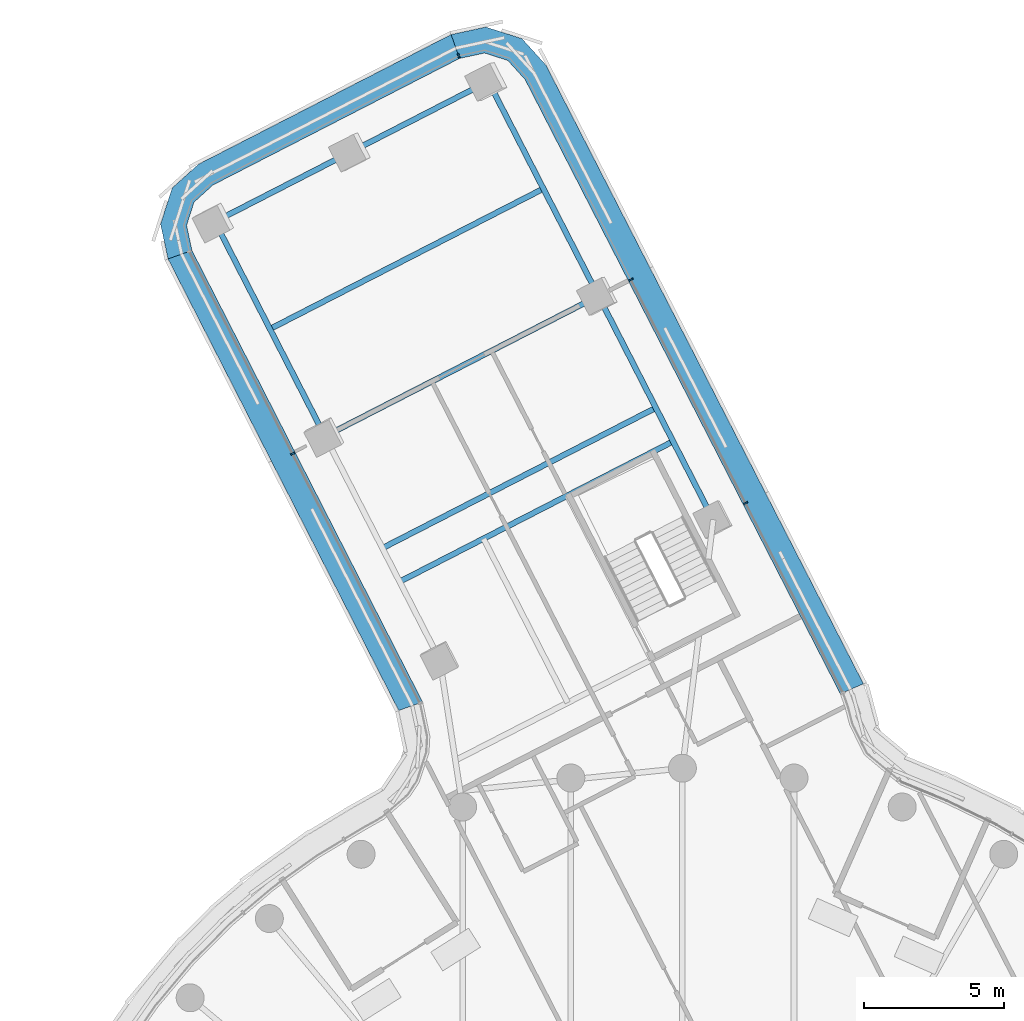
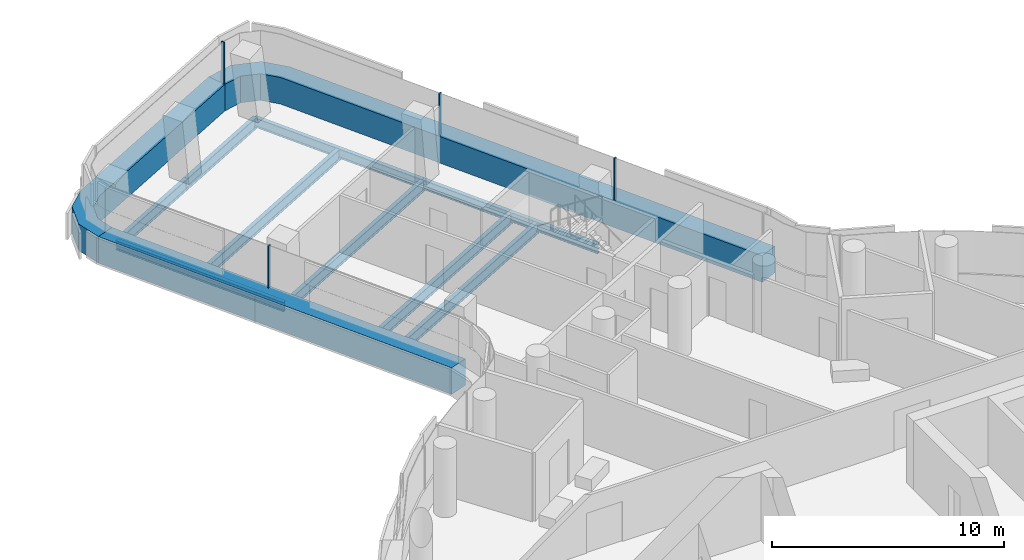
# One storey, part 17 of 37: 9 beams, 7 members, 3 elements without a shape of their own.
"""IFC4 building model written with IfcOpenShell, lengths in metres."""

from ifc_helpers import new_model, si_unit, direction, frame, origin, origin_2d, place, context, subcontext, project, spatial, polyline, rectangle, i_section, outline, extrude, material, layer, layer_set, material_profile, profile_set, type_object, element, aggregate, save


model = new_model("IFC4")

# Units and contexts
model_context = context("Model", 3, precision=1e-05, world=origin(), true_north=direction((0.0, 1.0)))
body_context = subcontext(model_context, "Body", "Model", "MODEL_VIEW")
ifc_project = project(units=[si_unit("LENGTHUNIT", "METRE"), si_unit("AREAUNIT", "SQUARE_METRE"), si_unit("VOLUMEUNIT", "CUBIC_METRE"), si_unit("PLANEANGLEUNIT", "RADIAN"), si_unit("MASSUNIT", "GRAM", prefix="KILO")], contexts=[model_context])

# Site, building, storey
site_placement = place(None, origin())
site = spatial("IfcSite", under=ifc_project, at=site_placement, CompositionType="ELEMENT")
building_placement = place(site_placement, origin())
building = spatial("IfcBuilding", under=site, at=building_placement, Name="Tamarind Cross Interchange Tower", CompositionType="ELEMENT")
storey_placement = place(building_placement, frame((0.0, 0.0, 133.0)))
storey = spatial("IfcBuildingStorey", under=building, at=storey_placement, Name="L32", CompositionType="ELEMENT", Elevation=133.0)

# Beams
ifc_material_1 = material(Name="Steel Q355B", Category="steel")
ifc_material_profile_1 = material_profile(ifc_material_1, i_section(OverallWidth=0.198974609375, OverallDepth=0.49609375, WebThickness=0.009033203125, FlangeThickness=0.013916015625, FilletRadius=0.012939453125, at=origin_2d()), Name="HN 496x199x9x14")
ifc_profile_set_1 = profile_set([ifc_material_profile_1], Name="Steel Q355B")
beam_type_1 = type_object("IfcBeamType", Name="Composite beam HN 496x199x9x14 Q355B", PredefinedType="BEAM", material=ifc_profile_set_1)
beam_1_placement = place(storey_placement, frame((-6.946044921875, 47.58251953125, -0.387939453125), z_axis=(0.456556652888, -0.88969434229, 0.0), x_axis=(0.88969434229, 0.456556652888, 0.0)))
element("IfcBeam", 1, at=beam_1_placement, inside=storey, type_object=beam_type_1, Name="Beam N-edgeem5", PredefinedType="BEAM", context=body_context, shape_type="SweptSolid", body=[
    extrude(i_section(OverallWidth=0.198974609375, OverallDepth=0.49609375, WebThickness=0.009033203125, FlangeThickness=0.013916015625, FilletRadius=0.012939453125, at=origin_2d()), origin(), (0.0, 0.0, 1.0), 8.6318359375),
])
beam_2_placement = place(storey_placement, frame((-3.005126953125, 39.90283203125, -0.387939453125), z_axis=(0.456563902144, -0.889690622216, 0.0), x_axis=(0.889690622216, 0.456563902144, 0.0)))
element("IfcBeam", 2, at=beam_2_placement, inside=storey, type_object=beam_type_1, Name="Beam N-edgeem6", PredefinedType="BEAM", context=body_context, shape_type="SweptSolid", body=[
    extrude(i_section(OverallWidth=0.198974609375, OverallDepth=0.49609375, WebThickness=0.009033203125, FlangeThickness=0.013916015625, FilletRadius=0.012939453125, at=origin_2d()), origin(), (0.0, 0.0, 1.0), 9.000244140625),
])
beam_3_placement = place(storey_placement, frame((-16.732666015625, 42.560546875, -0.387939453125), z_axis=(0.456545164388, -0.88970023765, 0.0), x_axis=(0.88970023765, 0.456545164388, 0.0)))
element("IfcBeam", 3, at=beam_3_placement, inside=storey, type_object=beam_type_1, Name="Beam N-edgeep2", PredefinedType="BEAM", context=body_context, shape_type="SweptSolid", body=[
    extrude(i_section(OverallWidth=0.198974609375, OverallDepth=0.49609375, WebThickness=0.009033203125, FlangeThickness=0.013916015625, FilletRadius=0.012939453125, at=origin_2d()), origin(), (0.0, 0.0, 1.0), 8.632080078125),
])
ifc_material_profile_2 = material_profile(ifc_material_1, i_section(OverallWidth=0.199951171875, OverallDepth=0.60009765625, WebThickness=0.010986328125, FlangeThickness=0.01708984375, FilletRadius=0.012939453125, at=origin_2d()), Name="HN 600x200x11x17")
ifc_profile_set_2 = profile_set([ifc_material_profile_2], Name="Steel Q355B")
beam_type_2 = type_object("IfcBeamType", Name="Composite beam HN 600x200x11x17 Q355B", PredefinedType="BEAM", material=ifc_profile_set_2)
for number, where, z_axis, x_axis, name in (
    (4, (-6.946044921875, 47.58251953125, -0.43994140625), (-0.889699584797, -0.456546436643, 0.0), (0.456546436643, -0.889699584797, 0.0), "Beam N-tip0"),
    (5, (-11.83935546875, 45.071533203125, -0.43994140625), (-0.889699584797, -0.456546436643, 0.0), (0.456546436643, -0.889699584797, 0.0), "Beam N-tip1"),
):
    element("IfcBeam", number, at=place(storey_placement, frame(where, z_axis=z_axis, x_axis=x_axis)), inside=storey, type_object=beam_type_2, Name=name, PredefinedType="BEAM", context=body_context, shape_type="SweptSolid", body=[
        extrude(i_section(OverallWidth=0.199951171875, OverallDepth=0.60009765625, WebThickness=0.010986328125, FlangeThickness=0.01708984375, FilletRadius=0.012939453125, at=origin_2d()), origin(), (0.0, 0.0, 1.0), 5.5),
    ])
for number, where, z_axis, x_axis, name in (
    (6, (-0.334228515625, 34.697998046875, -0.43994140625), (-0.889699584797, -0.456546436643, 0.0), (0.456546436643, -0.889699584797, 0.0), "Beam N-x334"),
    (7, (-3.005126953125, 39.90283203125, -0.43994140625), (-0.889690569439, -0.456564004988, 0.0), (0.456564004988, -0.889690569439, 0.0), "Beam N-x393"),
):
    element("IfcBeam", number, at=place(storey_placement, frame(where, z_axis=z_axis, x_axis=x_axis)), inside=storey, type_object=beam_type_2, Name=name, PredefinedType="BEAM", context=body_context, shape_type="SweptSolid", body=[
        extrude(i_section(OverallWidth=0.199951171875, OverallDepth=0.60009765625, WebThickness=0.010986328125, FlangeThickness=0.01708984375, FilletRadius=0.012939453125, at=origin_2d()), origin(), (0.0, 0.0, 1.0), 11.0),
    ])
beam_4_placement = place(storey_placement, frame((-0.950439453125, 35.899169921875, -0.43994140625), z_axis=(-0.889704210819, -0.456537421522, 0.0), x_axis=(0.456537421522, -0.889704210819, 0.0)))
element("IfcBeam", 8, at=beam_4_placement, inside=storey, type_object=beam_type_2, Name="Beam N-x348", PredefinedType="BEAM", context=body_context, shape_type="SweptSolid", body=[
    extrude(i_section(OverallWidth=0.199951171875, OverallDepth=0.60009765625, WebThickness=0.010986328125, FlangeThickness=0.01708984375, FilletRadius=0.012939453125, at=origin_2d()), origin(), (0.0, 0.0, 1.0), 11.000244140625),
])
beam_5_placement = place(storey_placement, frame((-4.9755859375, 43.74267578125, -0.43994140625), z_axis=(-0.889699584797, -0.456546436643, 0.0), x_axis=(0.456546436643, -0.889699584797, 0.0)))
element("IfcBeam", 9, at=beam_5_placement, inside=storey, type_object=beam_type_2, Name="Beam N-x436", PredefinedType="BEAM", context=body_context, shape_type="SweptSolid", body=[
    extrude(i_section(OverallWidth=0.199951171875, OverallDepth=0.60009765625, WebThickness=0.010986328125, FlangeThickness=0.01708984375, FilletRadius=0.012939453125, at=origin_2d()), origin(), (0.0, 0.0, 1.0), 11.0),
])

# Curtain wall, member
ifc_material_2 = material(Name="Aluminium 6063-T6", Category="aluminium")
ifc_layer = layer(ifc_material_2, 0.159912109375)
ifc_layer_set = layer_set([ifc_layer], Name="Aluminium 6063-T6")
curtain_wall_type = type_object("IfcCurtainWallType", Name="Office curtain wall, 9.0 m bays", PredefinedType="NOTDEFINED", material=ifc_layer_set)
curtain_wall_1_placement = place(storey_placement, origin())
curtain_wall_1 = element("IfcCurtainWall", 10, at=curtain_wall_1_placement, inside=storey, type_object=curtain_wall_type, Name="CWS-L32-11", PredefinedType="NOTDEFINED")
ifc_material_3 = material(Name="Aluminium and insulated spandrel panel", Category="aluminium")
member_type_1 = type_object("IfcMemberType", Name="Floor-edge blade transom", PredefinedType="USERDEFINED", material=ifc_material_3)
member_1_placement = place(storey_placement, origin())
member_1 = element("IfcMember", 11, at=member_1_placement, type_object=member_type_1, Name="CWT-L32-11", ObjectType="TRANSOM", PredefinedType="USERDEFINED", context=body_context, shape_type="SweptSolid", body=[
    extrude(outline(polyline([(5.6513671875, 25.662109375), (-5.632080078125, 47.650390625), (-6.24658203125, 48.3291015625), (-7.078857421875, 48.596923828125), (-7.973876953125, 48.404052734375), (-8.279296875, 49.2587890625), (-7.032958984375, 49.52734375), (-5.7412109375, 49.11181640625), (-4.88525390625, 48.166748046875), (6.47900390625, 26.0205078125), (5.6513671875, 25.662109375)])), origin(), (0.0, 0.0, 1.0), 1.39990234375),
])

curtain_wall_2_placement = place(storey_placement, origin())
curtain_wall_2 = element("IfcCurtainWall", 12, at=curtain_wall_2_placement, inside=storey, type_object=curtain_wall_type, Name="CWS-L32-12", PredefinedType="NOTDEFINED")
member_2_placement = place(storey_placement, origin())
member_2 = element("IfcMember", 13, at=member_2_placement, type_object=member_type_1, Name="CWT-L32-12", ObjectType="TRANSOM", PredefinedType="USERDEFINED", context=body_context, shape_type="SweptSolid", body=[
    extrude(outline(polyline([(-7.973876953125, 48.404052734375), (-16.800537109375, 43.87451171875), (-17.47900390625, 43.260009765625), (-17.746826171875, 42.427490234375), (-17.553955078125, 41.532470703125), (-18.408935546875, 41.227783203125), (-18.677490234375, 42.4736328125), (-18.261962890625, 43.76513671875), (-17.31689453125, 44.62109375), (-8.279296875, 49.2587890625), (-7.973876953125, 48.404052734375)])), origin(), (0.0, 0.0, 1.0), 1.39990234375),
])

curtain_wall_3_placement = place(storey_placement, origin())
curtain_wall_3 = element("IfcCurtainWall", 14, at=curtain_wall_3_placement, inside=storey, type_object=curtain_wall_type, Name="CWS-L32-13", PredefinedType="NOTDEFINED")
member_3_placement = place(storey_placement, origin())
member_3 = element("IfcMember", 15, at=member_3_placement, type_object=member_type_1, Name="CWT-L32-13", ObjectType="TRANSOM", PredefinedType="USERDEFINED", context=body_context, shape_type="SweptSolid", body=[
    extrude(outline(polyline([(-17.553955078125, 41.532470703125), (-9.29833984375, 25.368408203125), (-10.154052734375, 25.065185546875), (-18.408935546875, 41.227783203125), (-17.553955078125, 41.532470703125)])), origin(), (0.0, 0.0, 1.0), 1.39990234375),
])

# Member
ifc_material_profile_3 = material_profile(ifc_material_2, rectangle(XDim=0.06005859375, YDim=0.159912109375, at=origin_2d()), Name="Mullion CW1")
ifc_profile_set_3 = profile_set([ifc_material_profile_3], Name="Aluminium 6063-T6")
member_type_2 = type_object("IfcMemberType", Name="Mullion CW1", PredefinedType="MULLION", material=ifc_profile_set_3)
member_4_placement = place(storey_placement, frame((2.26025390625, 32.48974609375, 1.39990234375), z_axis=(0.0, 0.0, 1.0), x_axis=(-0.456551422638, 0.889697026233, 0.0)))
member_4 = element("IfcMember", 16, at=member_4_placement, type_object=member_type_2, Name="CWM-L32-11-01", PredefinedType="MULLION", context=body_context, shape_type="SweptSolid", body=[
    extrude(rectangle(XDim=0.06005859375, YDim=0.159912109375, at=origin_2d()), origin(), (0.0, 0.0, 1.0), 2.210205078125),
])

member_5_placement = place(storey_placement, frame((-1.84228515625, 40.484375, 1.39990234375), z_axis=(0.0, 0.0, 1.0), x_axis=(-0.456551422638, 0.889697026233, 0.0)))
member_5 = element("IfcMember", 17, at=member_5_placement, type_object=member_type_2, Name="CWM-L32-11-02", PredefinedType="MULLION", context=body_context, shape_type="SweptSolid", body=[
    extrude(rectangle(XDim=0.06005859375, YDim=0.159912109375, at=origin_2d()), origin(), (0.0, 0.0, 1.0), 2.210205078125),
])

aggregate(curtain_wall_1, [member_4, member_5, member_1])

member_6_placement = place(storey_placement, frame((-8.0078125, 48.4990234375, 1.39990234375), z_axis=(0.0, 0.0, 1.0), x_axis=(-0.941677463588, -0.336516796863, 0.0)))
member_6 = element("IfcMember", 18, at=member_6_placement, type_object=member_type_2, Name="CWM-L32-12-00", PredefinedType="MULLION", context=body_context, shape_type="SweptSolid", body=[
    extrude(rectangle(XDim=0.06005859375, YDim=0.159912109375, at=origin_2d()), origin(), (0.0, 0.0, 1.0), 2.210205078125),
])

aggregate(curtain_wall_2, [member_6, member_2])

member_7_placement = place(storey_placement, frame((-13.949951171875, 34.25634765625, 1.39990234375), z_axis=(0.0, 0.0, 1.0), x_axis=(0.454846512766, -0.890569845562, 0.0)))
member_7 = element("IfcMember", 19, at=member_7_placement, type_object=member_type_2, Name="CWM-L32-13-01", PredefinedType="MULLION", context=body_context, shape_type="SweptSolid", body=[
    extrude(rectangle(XDim=0.06005859375, YDim=0.159912109375, at=origin_2d()), origin(), (0.0, 0.0, 1.0), 2.210205078125),
])

aggregate(curtain_wall_3, [member_7, member_3])

save(model, "model.ifc")
